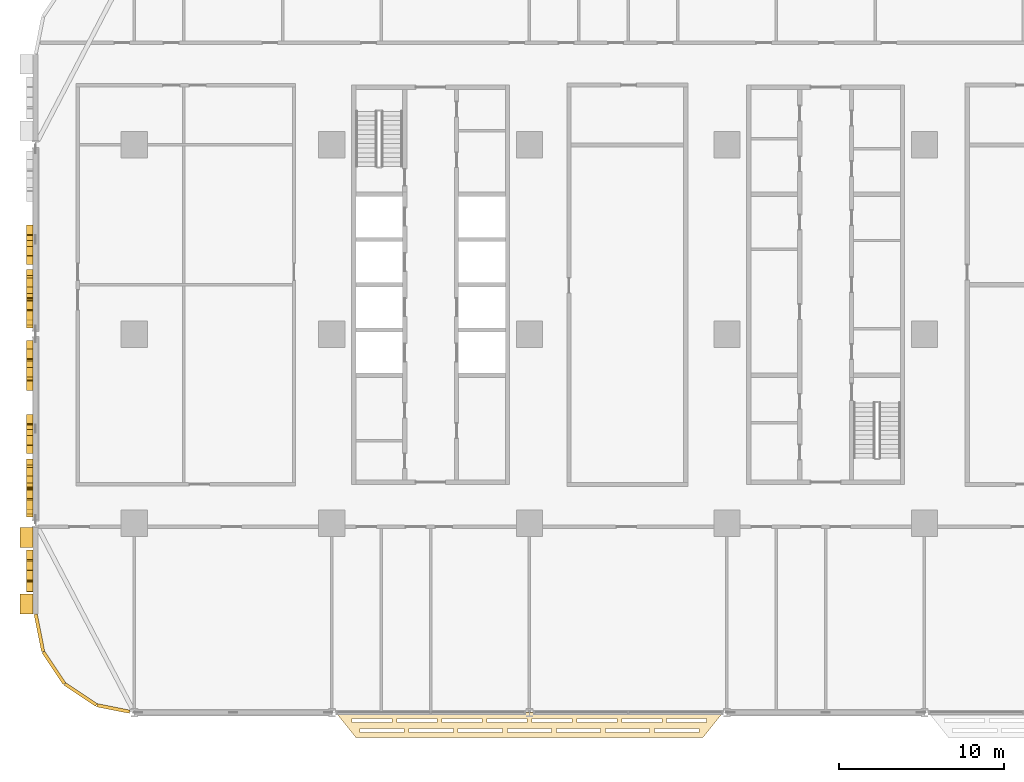
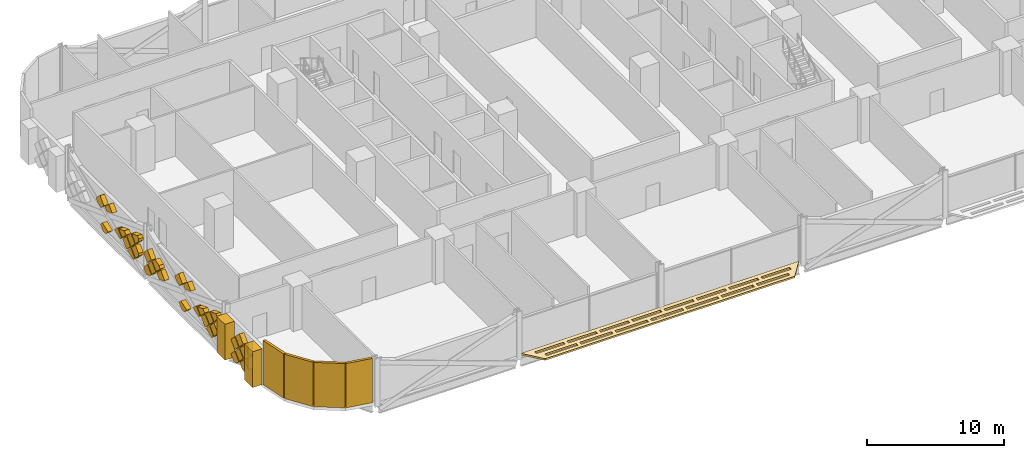
# One storey, part 22 of 27: 40 coverings.
"""IFC4 building model written with IfcOpenShell, lengths in metres."""

from ifc_helpers import new_model, si_unit, direction, frame, origin, origin_2d, place, context, subcontext, project, spatial, polyline, rectangle, outline, extrude, material, layer, layer_set, type_object, element, save


model = new_model("IFC4")

# Units and contexts
model_context = context("Model", 3, precision=1e-05, world=origin(), true_north=direction((0.0, 1.0)))
body_context = subcontext(model_context, "Body", "Model", "MODEL_VIEW")
ifc_project = project(units=[si_unit("LENGTHUNIT", "METRE"), si_unit("AREAUNIT", "SQUARE_METRE"), si_unit("VOLUMEUNIT", "CUBIC_METRE"), si_unit("PLANEANGLEUNIT", "RADIAN"), si_unit("MASSUNIT", "GRAM", prefix="KILO")], contexts=[model_context])

# Site, building, storey
site_placement = place(None, origin())
site = spatial("IfcSite", under=ifc_project, at=site_placement, CompositionType="ELEMENT")
building_placement = place(site_placement, origin())
building = spatial("IfcBuilding", under=site, at=building_placement, Name="Mahtab Terrace Research Tower", CompositionType="ELEMENT")
storey_placement = place(building_placement, frame((0.0, 0.0, 28.699951171875)))
storey = spatial("IfcBuildingStorey", under=building, at=storey_placement, Name="L06", CompositionType="ELEMENT", Elevation=28.699951171875)

# Coverings
ifc_material_1 = material(Name="Black aluminium cladding panel", Category="aluminium")
ifc_layer_1 = layer(ifc_material_1, 0.199951171875)
ifc_layer_set_1 = layer_set([ifc_layer_1], Name="Black metal corner cladding 200")
covering_type_1 = type_object("IfcCoveringType", Name="Black metal corner cladding 200", PredefinedType="CLADDING", material=ifc_layer_set_1)
for number, where, z_axis, x_axis, name in (
    (1, (-47.771484375, -18.14794921875, 0.0), (0.0, 0.0, 1.0), (0.195212442692, -0.980760981187, 0.0), "Corner cladding L06 18"),
    (2, (-46.89306640625, -20.26953125, 0.0), (0.0, 0.0, 1.0), (0.555291490808, -0.831655794326, 0.0), "Corner cladding L06 19"),
    (3, (-45.26953125, -21.89306640625, 0.0), (0.0, 0.0, 1.0), (0.831655794326, -0.555291490808, 0.0), "Corner cladding L06 20"),
):
    element("IfcCovering", number, at=place(storey_placement, frame(where, z_axis=z_axis, x_axis=x_axis)), inside=storey, type_object=covering_type_1, Name=name, PredefinedType="CLADDING", context=body_context, shape_type="SweptSolid", body=[
        extrude(rectangle(XDim=2.30126953125, YDim=0.199951171875, at=origin_2d()), origin(), (0.0, 0.0, 1.0), 3.9599609375),
    ])
covering_1_placement = place(storey_placement, frame((-43.28173828125, -22.744873046875, 0.0), z_axis=(0.0, 0.0, 1.0), x_axis=(0.980760981187, -0.195212442692, 0.0)))
element("IfcCovering", 4, at=covering_1_placement, inside=storey, type_object=covering_type_1, Name="Corner cladding L06 21", PredefinedType="CLADDING", context=body_context, shape_type="SweptSolid", body=[
    extrude(rectangle(XDim=2.0283203125, YDim=0.199951171875, at=origin_2d()), origin(), (0.0, 0.0, 1.0), 3.9599609375),
])
ifc_material_2 = material(Name="Black anodised aluminium", Category="aluminium")
ifc_layer_2 = layer(ifc_material_2, 0.14990234375)
ifc_layer_set_2 = layer_set([ifc_layer_2], Name="Horizontal sunshade band")
covering_type_2 = type_object("IfcCoveringType", Name="Horizontal sunshade band", PredefinedType="CLADDING", material=ifc_layer_set_2)
covering_2_placement = place(storey_placement, frame((0.0, 0.0, -0.14990234375)))
element("IfcCovering", 5, at=covering_2_placement, inside=storey, type_object=covering_type_2, Name="Sunshade band L06 23", PredefinedType="CLADDING", context=body_context, shape_type="SweptSolid", body=[
    extrude(outline(polyline([(-29.7509765625, -23.0), (-6.2490234375, -23.0), (-7.448974609375, -24.5), (-28.551025390625, -24.5), (-29.7509765625, -23.0)]), holes=[polyline([(-28.77099609375, -23.35009765625), (-26.341064453125, -23.35009765625), (-26.341064453125, -23.60009765625), (-28.77099609375, -23.60009765625), (-28.77099609375, -23.35009765625)]), polyline([(-26.041015625, -23.35009765625), (-23.611083984375, -23.35009765625), (-23.611083984375, -23.60009765625), (-26.041015625, -23.60009765625), (-26.041015625, -23.35009765625)]), polyline([(-23.31103515625, -23.35009765625), (-20.8798828125, -23.35009765625), (-20.8798828125, -23.60009765625), (-23.31103515625, -23.60009765625), (-23.31103515625, -23.35009765625)]), polyline([(-20.580078125, -23.35009765625), (-18.14990234375, -23.35009765625), (-18.14990234375, -23.60009765625), (-20.580078125, -23.60009765625), (-20.580078125, -23.35009765625)]), polyline([(-17.85009765625, -23.35009765625), (-15.419921875, -23.35009765625), (-15.419921875, -23.60009765625), (-17.85009765625, -23.60009765625), (-17.85009765625, -23.35009765625)]), polyline([(-15.1201171875, -23.35009765625), (-12.68994140625, -23.35009765625), (-12.68994140625, -23.60009765625), (-15.1201171875, -23.60009765625), (-15.1201171875, -23.35009765625)]), polyline([(-12.389892578125, -23.35009765625), (-9.958984375, -23.35009765625), (-9.958984375, -23.60009765625), (-12.389892578125, -23.60009765625), (-12.389892578125, -23.35009765625)]), polyline([(-9.658935546875, -23.35009765625), (-7.22900390625, -23.35009765625), (-7.22900390625, -23.60009765625), (-9.658935546875, -23.60009765625), (-9.658935546875, -23.35009765625)]), polyline([(-28.291015625, -23.949951171875), (-25.60791015625, -23.949951171875), (-25.60791015625, -24.199951171875), (-28.291015625, -24.199951171875), (-28.291015625, -23.949951171875)]), polyline([(-25.30810546875, -23.949951171875), (-22.625, -23.949951171875), (-22.625, -24.199951171875), (-25.30810546875, -24.199951171875), (-25.30810546875, -23.949951171875)]), polyline([(-22.324951171875, -23.949951171875), (-19.64208984375, -23.949951171875), (-19.64208984375, -24.199951171875), (-22.324951171875, -24.199951171875), (-22.324951171875, -23.949951171875)]), polyline([(-19.342041015625, -23.949951171875), (-16.657958984375, -23.949951171875), (-16.657958984375, -24.199951171875), (-19.342041015625, -24.199951171875), (-19.342041015625, -23.949951171875)]), polyline([(-16.35791015625, -23.949951171875), (-13.675048828125, -23.949951171875), (-13.675048828125, -24.199951171875), (-16.35791015625, -24.199951171875), (-16.35791015625, -23.949951171875)]), polyline([(-13.375, -23.949951171875), (-10.69189453125, -23.949951171875), (-10.69189453125, -24.199951171875), (-13.375, -24.199951171875), (-13.375, -23.949951171875)]), polyline([(-10.39208984375, -23.949951171875), (-7.708984375, -23.949951171875), (-7.708984375, -24.199951171875), (-10.39208984375, -24.199951171875), (-10.39208984375, -23.949951171875)])]), origin(), (0.0, 0.0, 1.0), 0.14990234375),
])
ifc_material_3 = material(Name="Bronze anodised aluminium", Category="aluminium")
ifc_layer_3 = layer(ifc_material_3, 0.39990234375)
ifc_layer_set_3 = layer_set([ifc_layer_3], Name="Mashrabiya relief panel 400")
covering_type_3 = type_object("IfcCoveringType", Name="Mashrabiya relief panel 400", PredefinedType="CLADDING", material=ifc_layer_set_3)
covering_3_placement = place(storey_placement, frame((-48.14990234375, 6.631103515625, 2.5), z_axis=(1.0, 0.0, 0.0), x_axis=(0.0, -0.707106781187, 0.707106781187)))
element("IfcCovering", 6, at=covering_3_placement, inside=storey, type_object=covering_type_3, Name="Mashrabiya lattice cell L06 W15.6", PredefinedType="CLADDING", context=body_context, shape_type="SweptSolid", body=[
    extrude(outline(polyline([(0.0, 0.0), (0.8034362694438947, 0.0), (0.8203543516109556, 0.01691808216706092), (0.8203543516109556, 0.8203543516109556), (0.20508858790273893, 0.8203543516109557), (0.00017263349150062335, 0.3720251741838403), (0.0, 0.0)])), origin(), (0.0, 0.0, -1.0), 0.39990234375),
])
covering_4_placement = place(storey_placement, frame((-48.14990234375, 5.98095703125, 0.550048828125), z_axis=(1.0, 0.0, 0.0), x_axis=(0.0, -0.707106781187, 0.707106781187)))
element("IfcCovering", 7, at=covering_4_placement, inside=storey, type_object=covering_type_3, Name="Mashrabiya lattice cell L06 W15.7", PredefinedType="CLADDING", context=body_context, shape_type="SweptSolid", body=[
    extrude(outline(polyline([(0.0, 0.0), (0.40430763709445666, 0.0), (0.7790949471423069, 0.820181718119455), (0.23322784701734023, 0.820181718119455), (0.0, 0.5869538711021147), (0.0, 0.0)])), origin(), (0.0, 0.0, -1.0), 0.39990234375),
])
covering_5_placement = place(storey_placement, frame((-48.14990234375, 5.3310546875, 2.5), z_axis=(1.0, 0.0, 0.0), x_axis=(0.0, -0.707106781187, 0.707106781187)))
element("IfcCovering", 8, at=covering_5_placement, inside=storey, type_object=covering_type_3, Name="Mashrabiya lattice cell L06 W15.8", PredefinedType="CLADDING", context=body_context, shape_type="SweptSolid", body=[
    extrude(outline(polyline([(0.0, 0.0), (0.8034362694438947, 0.0), (0.8203543516109556, 0.01691808216706092), (0.8203543516109556, 0.7212627274895985), (0.00017263349150062335, 0.34647541744174826), (0.0, 0.0)])), origin(), (0.0, 0.0, -1.0), 0.39990234375),
])
covering_6_placement = place(storey_placement, frame((-48.14990234375, 2.87109375, 1.199951171875), z_axis=(1.0, 0.0, 0.0), x_axis=(0.0, 0.707106781187, -0.707106781187)))
element("IfcCovering", 9, at=covering_6_placement, inside=storey, type_object=covering_type_3, Name="Mashrabiya lattice cell L06 W15.9", PredefinedType="CLADDING", context=body_context, shape_type="SweptSolid", body=[
    extrude(outline(polyline([(0.0, 0.0), (0.27863045528200386, 0.0), (0.6518640639063485, 0.8203543516109556), (0.14276789747101437, 0.820181718119455), (-0.0001726334915006511, 0.7552715253152211), (0.0, 0.0)])), origin(), (0.0, 0.0, -1.0), 0.39990234375),
])
covering_7_placement = place(storey_placement, frame((-48.14990234375, 2.220947265625, 1.85009765625), z_axis=(1.0, 0.0, 0.0), x_axis=(0.0, 0.707106781187, -0.707106781187)))
element("IfcCovering", 10, at=covering_7_placement, inside=storey, type_object=covering_type_3, Name="Mashrabiya lattice cell L06 W15.10", PredefinedType="CLADDING", context=body_context, shape_type="SweptSolid", body=[
    extrude(outline(polyline([(0.0, 0.0), (0.8203543516109556, 0.0), (0.8203543516109556, 0.7098689170505575), (0.0, 0.3366353084262128), (0.0, 0.0)])), origin(), (0.0, 0.0, -1.0), 0.39990234375),
])
covering_8_placement = place(storey_placement, frame((-48.14990234375, 2.73095703125, 1.199951171875), z_axis=(1.0, 0.0, 0.0), x_axis=(0.0, -0.707106781187, 0.707106781187)))
element("IfcCovering", 11, at=covering_8_placement, inside=storey, type_object=covering_type_3, Name="Mashrabiya lattice cell L06 W15.11", PredefinedType="CLADDING", context=body_context, shape_type="SweptSolid", body=[
    extrude(outline(polyline([(0.0, 0.0), (0.8203543516109556, 0.0), (0.820181718119455, 0.820181718119455), (0.041086770977148024, 0.8200090846279544), (0.0, 0.7281680671496235), (0.0, 0.0)])), origin(), (0.0, 0.0, -1.0), 0.39990234375),
])
covering_9_placement = place(storey_placement, frame((-48.14990234375, 1.5009765625, 1.130126953125), z_axis=(1.0, 0.0, 0.0), x_axis=(0.0, -0.707106781187, -0.707106781187)))
element("IfcCovering", 12, at=covering_9_placement, inside=storey, type_object=covering_type_3, Name="Mashrabiya lattice cell L06 W15.12", PredefinedType="CLADDING", context=body_context, shape_type="SweptSolid", body=[
    extrude(outline(polyline([(0.0, 0.0), (0.8203543516109556, 0.0), (0.820181718119455, 0.3592502958127942), (0.0, 0.7340376058606446), (0.0, 0.0)])), origin(), (0.0, 0.0, -1.0), 0.39990234375),
])
covering_10_placement = place(storey_placement, frame((-48.14990234375, 1.5009765625, 2.429931640625), z_axis=(1.0, 0.0, 0.0), x_axis=(0.0, -0.707255598772, -0.706957932274)))
element("IfcCovering", 13, at=covering_10_placement, inside=storey, type_object=covering_type_3, Name="Mashrabiya lattice cell L06 W15.13", PredefinedType="CLADDING", context=body_context, shape_type="SweptSolid", body=[
    extrude(outline(polyline([(0.0, 0.0), (0.8201817362875763, 0.0), (0.8200090664636573, 0.8203543334390104), (-0.0003452669753531423, 0.8201816636150915), (0.0, 0.0)])), origin(), (0.0, 0.0, -1.0), 0.39990234375),
])
covering_11_placement = place(storey_placement, frame((-48.14990234375, 0.85107421875, 0.6201171875), z_axis=(1.0, 0.0, 0.0), x_axis=(0.0, 0.707106781187, 0.707106781187)))
element("IfcCovering", 14, at=covering_11_placement, inside=storey, type_object=covering_type_3, Name="Mashrabiya lattice cell L06 W15.14", PredefinedType="CLADDING", context=body_context, shape_type="SweptSolid", body=[
    extrude(outline(polyline([(0.0, 0.0), (0.8200090846279543, 0.0), (0.820181718119455, 0.820181718119455), (0.1596859796380753, 0.820181718119455), (0.0, 0.6604957384813797), (0.0, 0.0)])), origin(), (0.0, 0.0, -1.0), 0.39990234375),
])
covering_12_placement = place(storey_placement, frame((-48.14990234375, 0.85107421875, 1.920166015625), z_axis=(1.0, 0.0, 0.0), x_axis=(0.0, 0.707106781187, 0.707106781187)))
element("IfcCovering", 15, at=covering_12_placement, inside=storey, type_object=covering_type_3, Name="Mashrabiya lattice cell L06 W15.15", PredefinedType="CLADDING", context=body_context, shape_type="SweptSolid", body=[
    extrude(outline(polyline([(0.0, 0.0), (0.7916971920218523, 0.0), (0.4170825154655026, 0.8203543516109555), (0.1596859796380753, 0.820181718119455), (-0.0001726334915006511, 0.660323104989879), (0.0, 0.0)])), origin(), (0.0, 0.0, -1.0), 0.39990234375),
])
covering_13_placement = place(storey_placement, frame((-48.14990234375, -0.384033203125, 0.485107421875), z_axis=(1.0, 0.0, 0.0), x_axis=(0.0, 0.0, 1.0)))
element("IfcCovering", 16, at=covering_13_placement, inside=storey, type_object=covering_type_3, Name="Mashrabiya lattice cell L06 W16.1", PredefinedType="CLADDING", context=body_context, shape_type="SweptSolid", body=[
    extrude(outline(polyline([(0.0, 0.0), (0.1298828125, 0.0), (0.64501953125, 0.514892578125), (0.06494140625, 1.094970703125), (-0.16015625, 0.869873046875), (-0.35009765625, 0.362060546875), (0.0, 0.0)])), origin(), (0.0, 0.0, -1.0), 0.39990234375),
])
covering_14_placement = place(storey_placement, frame((-48.14990234375, -0.89892578125, 2.429931640625), z_axis=(1.0, 0.0, 0.0), x_axis=(0.0, -0.707255598772, -0.706957932274)))
element("IfcCovering", 17, at=covering_14_placement, inside=storey, type_object=covering_type_3, Name="Mashrabiya lattice cell L06 W16.2", PredefinedType="CLADDING", context=body_context, shape_type="SweptSolid", body=[
    extrude(outline(polyline([(0.0, 0.0), (0.8201817362875763, 0.0), (0.8200090664636573, 0.8203543334390104), (0.0916684182924955, 0.820028397344618), (-0.0001532662704735177, 0.7281680510197277), (0.0, 0.0)])), origin(), (0.0, 0.0, -1.0), 0.39990234375),
])
covering_15_placement = place(storey_placement, frame((-48.14990234375, -1.549072265625, 1.780029296875), z_axis=(1.0, 0.0, 0.0), x_axis=(0.0, -0.706957932274, -0.707255598772)))
element("IfcCovering", 18, at=covering_15_placement, inside=storey, type_object=covering_type_3, Name="Mashrabiya lattice cell L06 W16.3", PredefinedType="CLADDING", context=body_context, shape_type="SweptSolid", body=[
    extrude(outline(polyline([(0.0, 0.0), (0.8201817362875763, 0.0), (0.8203543334390104, 0.8200090664636573), (0.00017266982391900276, 0.8203543334390104), (0.0, 0.0)])), origin(), (0.0, 0.0, -1.0), 0.39990234375),
])
covering_16_placement = place(storey_placement, frame((-48.14990234375, -2.779052734375, 1.85009765625), z_axis=(1.0, 0.0, 0.0), x_axis=(0.0, 0.707106781187, -0.707106781187)))
element("IfcCovering", 19, at=covering_16_placement, inside=storey, type_object=covering_type_3, Name="Mashrabiya lattice cell L06 W16.4", PredefinedType="CLADDING", context=body_context, shape_type="SweptSolid", body=[
    extrude(outline(polyline([(0.0, 0.0), (0.8203543516109556, 0.0), (0.8203543516109556, 0.8203543516109556), (0.2532533320314124, 0.820181718119455), (0.0, 0.26585557691095785), (0.0, 0.0)])), origin(), (0.0, 0.0, -1.0), 0.39990234375),
])
covering_17_placement = place(storey_placement, frame((-48.14990234375, -2.26904296875, 1.199951171875), z_axis=(1.0, 0.0, 0.0), x_axis=(0.0, -0.707106781187, 0.707106781187)))
element("IfcCovering", 20, at=covering_17_placement, inside=storey, type_object=covering_type_3, Name="Mashrabiya lattice cell L06 W16.5", PredefinedType="CLADDING", context=body_context, shape_type="SweptSolid", body=[
    extrude(outline(polyline([(0.0, 0.0), (0.8203543516109556, 0.0), (0.820181718119455, 0.820181718119455), (0.6803485900039511, 0.820181718119455), (0.0, 0.5103046008758385), (0.0, 0.0)])), origin(), (0.0, 0.0, -1.0), 0.39990234375),
])
covering_18_placement = place(storey_placement, frame((-48.14990234375, -4.868896484375, 2.5), z_axis=(1.0, 0.0, 0.0), x_axis=(0.0, -0.707106781187, 0.707106781187)))
element("IfcCovering", 21, at=covering_18_placement, inside=storey, type_object=covering_type_3, Name="Mashrabiya lattice cell L06 W16.6", PredefinedType="CLADDING", context=body_context, shape_type="SweptSolid", body=[
    extrude(outline(polyline([(0.0, 0.0), (0.8034362694438947, 0.0), (0.8203543516109556, 0.01691808216706092), (0.8203543516109556, 0.8203543516109556), (0.20508858790273893, 0.8203543516109557), (0.00017263349150062335, 0.3720251741838403), (0.0, 0.0)])), origin(), (0.0, 0.0, -1.0), 0.39990234375),
])
covering_19_placement = place(storey_placement, frame((-48.14990234375, -5.51904296875, 0.550048828125), z_axis=(1.0, 0.0, 0.0), x_axis=(0.0, -0.707106781187, 0.707106781187)))
element("IfcCovering", 22, at=covering_19_placement, inside=storey, type_object=covering_type_3, Name="Mashrabiya lattice cell L06 W16.7", PredefinedType="CLADDING", context=body_context, shape_type="SweptSolid", body=[
    extrude(outline(polyline([(0.0, 0.0), (0.40430763709445666, 0.0), (0.7790949471423069, 0.820181718119455), (0.23322784701734023, 0.820181718119455), (0.0, 0.5869538711021147), (0.0, 0.0)])), origin(), (0.0, 0.0, -1.0), 0.39990234375),
])
covering_20_placement = place(storey_placement, frame((-48.14990234375, -6.1689453125, 2.5), z_axis=(1.0, 0.0, 0.0), x_axis=(0.0, -0.707106781187, 0.707106781187)))
element("IfcCovering", 23, at=covering_20_placement, inside=storey, type_object=covering_type_3, Name="Mashrabiya lattice cell L06 W16.8", PredefinedType="CLADDING", context=body_context, shape_type="SweptSolid", body=[
    extrude(outline(polyline([(0.0, 0.0), (0.8034362694438947, 0.0), (0.8203543516109556, 0.01691808216706092), (0.8203543516109556, 0.7212627274895985), (0.00017263349150062335, 0.34647541744174826), (0.0, 0.0)])), origin(), (0.0, 0.0, -1.0), 0.39990234375),
])
covering_21_placement = place(storey_placement, frame((-48.14990234375, -8.62890625, 1.199951171875), z_axis=(1.0, 0.0, 0.0), x_axis=(0.0, 0.707106781187, -0.707106781187)))
element("IfcCovering", 24, at=covering_21_placement, inside=storey, type_object=covering_type_3, Name="Mashrabiya lattice cell L06 W16.9", PredefinedType="CLADDING", context=body_context, shape_type="SweptSolid", body=[
    extrude(outline(polyline([(0.0, 0.0), (0.27863045528200386, 0.0), (0.6518640639063485, 0.8203543516109556), (0.14276789747101437, 0.820181718119455), (-0.0001726334915006511, 0.7552715253152211), (0.0, 0.0)])), origin(), (0.0, 0.0, -1.0), 0.39990234375),
])
covering_22_placement = place(storey_placement, frame((-48.14990234375, -9.279052734375, 1.85009765625), z_axis=(1.0, 0.0, 0.0), x_axis=(0.0, 0.707106781187, -0.707106781187)))
element("IfcCovering", 25, at=covering_22_placement, inside=storey, type_object=covering_type_3, Name="Mashrabiya lattice cell L06 W16.10", PredefinedType="CLADDING", context=body_context, shape_type="SweptSolid", body=[
    extrude(outline(polyline([(0.0, 0.0), (0.8203543516109556, 0.0), (0.8203543516109556, 0.7098689170505575), (0.0, 0.3366353084262128), (0.0, 0.0)])), origin(), (0.0, 0.0, -1.0), 0.39990234375),
])
covering_23_placement = place(storey_placement, frame((-48.14990234375, -8.76904296875, 1.199951171875), z_axis=(1.0, 0.0, 0.0), x_axis=(0.0, -0.707106781187, 0.707106781187)))
element("IfcCovering", 26, at=covering_23_placement, inside=storey, type_object=covering_type_3, Name="Mashrabiya lattice cell L06 W16.11", PredefinedType="CLADDING", context=body_context, shape_type="SweptSolid", body=[
    extrude(outline(polyline([(0.0, 0.0), (0.8203543516109556, 0.0), (0.820181718119455, 0.820181718119455), (0.041086770977148024, 0.8200090846279544), (0.0, 0.7281680671496235), (0.0, 0.0)])), origin(), (0.0, 0.0, -1.0), 0.39990234375),
])
covering_24_placement = place(storey_placement, frame((-48.14990234375, -9.9990234375, 1.130126953125), z_axis=(1.0, 0.0, 0.0), x_axis=(0.0, -0.707106781187, -0.707106781187)))
element("IfcCovering", 27, at=covering_24_placement, inside=storey, type_object=covering_type_3, Name="Mashrabiya lattice cell L06 W16.12", PredefinedType="CLADDING", context=body_context, shape_type="SweptSolid", body=[
    extrude(outline(polyline([(0.0, 0.0), (0.8203543516109556, 0.0), (0.820181718119455, 0.3592502958127942), (0.0, 0.7340376058606446), (0.0, 0.0)])), origin(), (0.0, 0.0, -1.0), 0.39990234375),
])
covering_25_placement = place(storey_placement, frame((-48.14990234375, -9.9990234375, 2.429931640625), z_axis=(1.0, 0.0, 0.0), x_axis=(0.0, -0.707255598772, -0.706957932274)))
element("IfcCovering", 28, at=covering_25_placement, inside=storey, type_object=covering_type_3, Name="Mashrabiya lattice cell L06 W16.13", PredefinedType="CLADDING", context=body_context, shape_type="SweptSolid", body=[
    extrude(outline(polyline([(0.0, 0.0), (0.8201817362875763, 0.0), (0.8200090664636573, 0.8203543334390104), (-0.0003452669753531423, 0.8201816636150915), (0.0, 0.0)])), origin(), (0.0, 0.0, -1.0), 0.39990234375),
])
covering_26_placement = place(storey_placement, frame((-48.14990234375, -10.64892578125, 0.6201171875), z_axis=(1.0, 0.0, 0.0), x_axis=(0.0, 0.707106781187, 0.707106781187)))
element("IfcCovering", 29, at=covering_26_placement, inside=storey, type_object=covering_type_3, Name="Mashrabiya lattice cell L06 W16.14", PredefinedType="CLADDING", context=body_context, shape_type="SweptSolid", body=[
    extrude(outline(polyline([(0.0, 0.0), (0.8200090846279543, 0.0), (0.820181718119455, 0.820181718119455), (0.1596859796380753, 0.820181718119455), (0.0, 0.6604957384813797), (0.0, 0.0)])), origin(), (0.0, 0.0, -1.0), 0.39990234375),
])
covering_27_placement = place(storey_placement, frame((-48.14990234375, -10.64892578125, 1.920166015625), z_axis=(1.0, 0.0, 0.0), x_axis=(0.0, 0.707106781187, 0.707106781187)))
element("IfcCovering", 30, at=covering_27_placement, inside=storey, type_object=covering_type_3, Name="Mashrabiya lattice cell L06 W16.15", PredefinedType="CLADDING", context=body_context, shape_type="SweptSolid", body=[
    extrude(outline(polyline([(0.0, 0.0), (0.7916971920218523, 0.0), (0.4170825154655026, 0.8203543516109555), (0.1596859796380753, 0.820181718119455), (-0.0001726334915006511, 0.660323104989879), (0.0, 0.0)])), origin(), (0.0, 0.0, -1.0), 0.39990234375),
])
covering_28_placement = place(storey_placement, frame((-48.14990234375, -13.118896484375, 0.550048828125), z_axis=(1.0, 0.0, 0.0), x_axis=(0.0, -0.707106781187, 0.707106781187)))
element("IfcCovering", 31, at=covering_28_placement, inside=storey, type_object=covering_type_3, Name="Mashrabiya lattice cell L06 W17.1", PredefinedType="CLADDING", context=body_context, shape_type="SweptSolid", body=[
    extrude(outline(polyline([(0.0, 0.0), (0.8203543516109556, 0.0), (0.8203543516109556, 0.8203543516109556), (0.23340048050884088, 0.8203543516109556), (0.0, 0.5869538711021147), (0.0, 0.0)])), origin(), (0.0, 0.0, -1.0), 0.39990234375),
])
covering_29_placement = place(storey_placement, frame((-48.14990234375, -13.698974609375, 2.429931640625), z_axis=(1.0, 0.0, 0.0), x_axis=(0.0, -0.707255598772, -0.706957932274)))
element("IfcCovering", 32, at=covering_29_placement, inside=storey, type_object=covering_type_3, Name="Mashrabiya lattice cell L06 W17.2", PredefinedType="CLADDING", context=body_context, shape_type="SweptSolid", body=[
    extrude(outline(polyline([(0.0, 0.0), (0.8201817362875763, 0.0), (0.8200090664636573, 0.8203543334390104), (-0.0003452669753531423, 0.8201816636150915), (0.0, 0.0)])), origin(), (0.0, 0.0, -1.0), 0.39990234375),
])
covering_30_placement = place(storey_placement, frame((-48.14990234375, -14.34912109375, 1.780029296875), z_axis=(1.0, 0.0, 0.0), x_axis=(0.0, -0.706957932274, -0.707255598772)))
element("IfcCovering", 33, at=covering_30_placement, inside=storey, type_object=covering_type_3, Name="Mashrabiya lattice cell L06 W17.3", PredefinedType="CLADDING", context=body_context, shape_type="SweptSolid", body=[
    extrude(outline(polyline([(0.0, 0.0), (0.8201817362875763, 0.0), (0.8203543334390104, 0.8200090664636573), (0.00017266982391900276, 0.8203543334390104), (0.0, 0.0)])), origin(), (0.0, 0.0, -1.0), 0.39990234375),
])
covering_31_placement = place(storey_placement, frame((-48.14990234375, -14.928955078125, 2.5), z_axis=(1.0, 0.0, 0.0), x_axis=(0.0, 0.707106781187, -0.707106781187)))
element("IfcCovering", 34, at=covering_31_placement, inside=storey, type_object=covering_type_3, Name="Mashrabiya lattice cell L06 W17.4", PredefinedType="CLADDING", context=body_context, shape_type="SweptSolid", body=[
    extrude(outline(polyline([(0.0, 0.0), (0.8200090846279543, 0.0), (0.820181718119455, 0.820181718119455), (0.01691808216706092, 0.8203543516109556), (-0.0001726334915006511, 0.803263635952394), (0.0, 0.0)])), origin(), (0.0, 0.0, -1.0), 0.39990234375),
])
covering_32_placement = place(storey_placement, frame((-48.14990234375, -14.4189453125, 0.550048828125), z_axis=(1.0, 0.0, 0.0), x_axis=(0.0, -0.707106781187, 0.707106781187)))
element("IfcCovering", 35, at=covering_32_placement, inside=storey, type_object=covering_type_3, Name="Mashrabiya lattice cell L06 W17.5", PredefinedType="CLADDING", context=body_context, shape_type="SweptSolid", body=[
    extrude(outline(polyline([(0.0, 0.0), (0.8203543516109556, 0.0), (0.8203543516109556, 0.8203543516109556), (0.23340048050884088, 0.8203543516109556), (0.0, 0.5869538711021147), (0.0, 0.0)])), origin(), (0.0, 0.0, -1.0), 0.39990234375),
])
covering_33_placement = place(storey_placement, frame((-48.14990234375, -14.9990234375, 2.429931640625), z_axis=(1.0, 0.0, 0.0), x_axis=(0.0, -0.707255598772, -0.706957932274)))
element("IfcCovering", 36, at=covering_33_placement, inside=storey, type_object=covering_type_3, Name="Mashrabiya lattice cell L06 W17.6", PredefinedType="CLADDING", context=body_context, shape_type="SweptSolid", body=[
    extrude(outline(polyline([(0.0, 0.0), (0.8201817362875763, 0.0), (0.8200090664636573, 0.8203543334390104), (-0.0003452669753531423, 0.8201816636150915), (0.0, 0.0)])), origin(), (0.0, 0.0, -1.0), 0.39990234375),
])
covering_34_placement = place(storey_placement, frame((-48.14990234375, -15.64892578125, 0.6201171875), z_axis=(1.0, 0.0, 0.0), x_axis=(0.0, 0.707106781187, 0.707106781187)))
element("IfcCovering", 37, at=covering_34_placement, inside=storey, type_object=covering_type_3, Name="Mashrabiya lattice cell L06 W17.7", PredefinedType="CLADDING", context=body_context, shape_type="SweptSolid", body=[
    extrude(outline(polyline([(0.0, 0.0), (0.8200090846279543, 0.0), (0.820181718119455, 0.820181718119455), (0.7975667307328734, 0.8203543516109556), (-0.00017263349150062161, 0.022614987386581478), (0.0, 0.0)])), origin(), (0.0, 0.0, -1.0), 0.39990234375),
])
covering_35_placement = place(storey_placement, frame((-48.14990234375, -15.64892578125, 1.920166015625), z_axis=(1.0, 0.0, 0.0), x_axis=(0.0, 0.707106781187, 0.707106781187)))
element("IfcCovering", 38, at=covering_35_placement, inside=storey, type_object=covering_type_3, Name="Mashrabiya lattice cell L06 W17.8", PredefinedType="CLADDING", context=body_context, shape_type="SweptSolid", body=[
    extrude(outline(polyline([(0.0, 0.0), (0.8200090846279543, 0.0), (0.820181718119455, 0.803263635952394), (0.7973940972413728, 0.820181718119455), (-0.00017263349150062161, 0.022614987386581478), (0.0, 0.0)])), origin(), (0.0, 0.0, -1.0), 0.39990234375),
])
ifc_material_4 = material(Name="Glazed ceramic tile cladding", Category="masonry")
ifc_layer_4 = layer(ifc_material_4, 0.800048828125)
ifc_layer_set_4 = layer_set([ifc_layer_4], Name="Pishtaq frame pier 800")
covering_type_4 = type_object("IfcCoveringType", Name="Pishtaq frame pier 800", PredefinedType="CLADDING", material=ifc_layer_set_4)
for number, where, z_axis, x_axis, name in (
    (39, (-48.550048828125, -12.34912109375, 0.00048828125), (0.0, 0.0, 1.0), (0.0, -1.0, 0.0), "Pishtaq frame pier 17a"),
    (40, (-48.550048828125, -16.39990234375, 0.00048828125), (0.0, 0.0, 1.0), (0.0, -1.0, 0.0), "Pishtaq frame pier 17b"),
):
    element("IfcCovering", number, at=place(storey_placement, frame(where, z_axis=z_axis, x_axis=x_axis)), inside=storey, type_object=covering_type_4, Name=name, PredefinedType="CLADDING", context=body_context, shape_type="SweptSolid", body=[
        extrude(rectangle(XDim=1.199951171875, YDim=0.800048828125, at=origin_2d()), origin(), (0.0, 0.0, 1.0), 3.202880859375),
    ])

save(model, "model.ifc")
